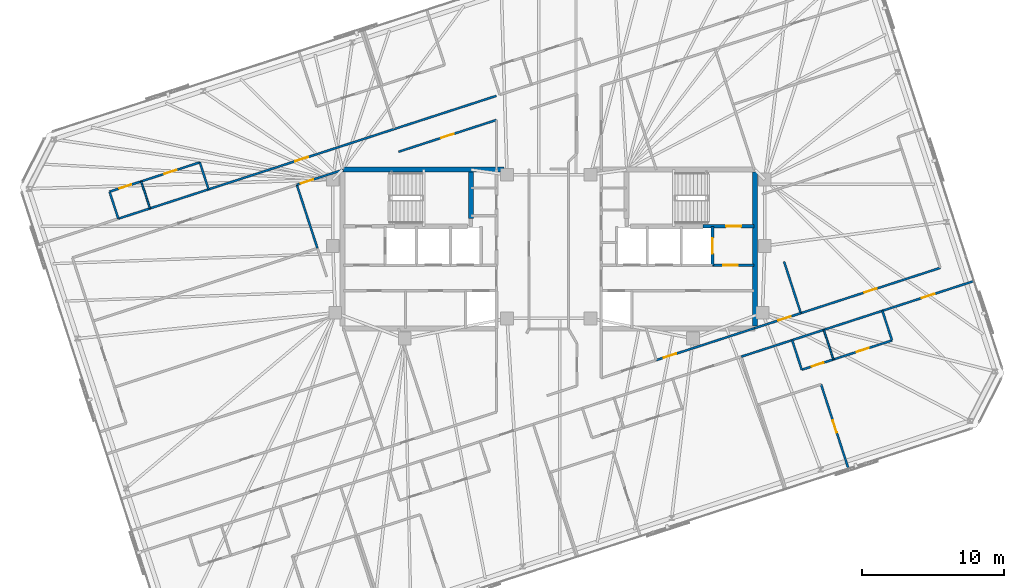
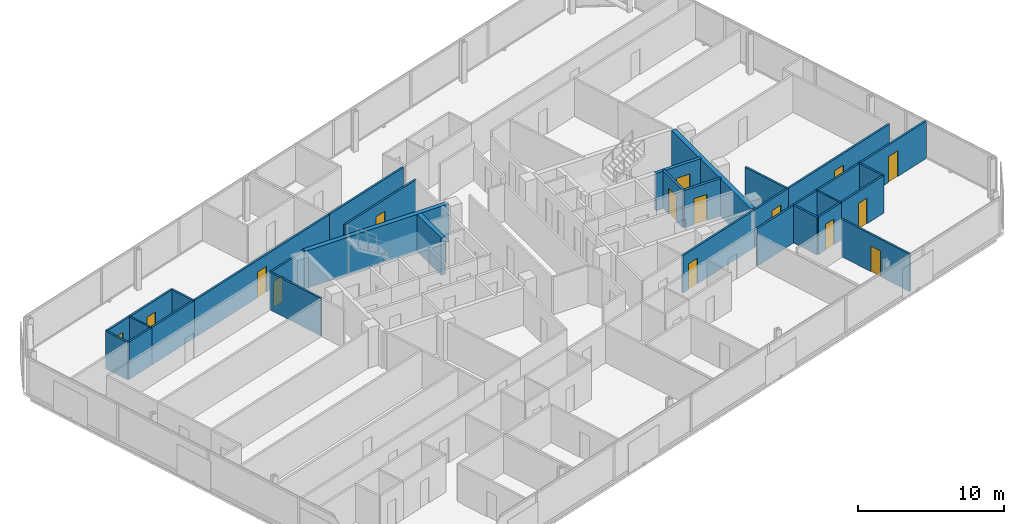
# One storey, part 16 of 19: 32 walls, 15 doors, 15 openings.
"""IFC4 building model written with IfcOpenShell, lengths in metres."""

from ifc_helpers import new_model, si_unit, direction, frame, frame_2d, origin, place, context, subcontext, project, spatial, rectangle, extrude, material, layer, layer_set, type_object, element, fill, save


model = new_model("IFC4")

# Units and contexts
model_context = context("Model", 3, precision=1e-05, world=origin(), true_north=direction((0.0, 1.0)))
body_context = subcontext(model_context, "Body", "Model", "MODEL_VIEW")
ifc_project = project(units=[si_unit("LENGTHUNIT", "METRE"), si_unit("AREAUNIT", "SQUARE_METRE"), si_unit("VOLUMEUNIT", "CUBIC_METRE"), si_unit("PLANEANGLEUNIT", "RADIAN"), si_unit("MASSUNIT", "GRAM", prefix="KILO")], contexts=[model_context])

# Site, building, storey
site_placement = place(None, origin())
site = spatial("IfcSite", under=ifc_project, at=site_placement, CompositionType="ELEMENT")
building_placement = place(site_placement, origin())
building = spatial("IfcBuilding", under=site, at=building_placement, Name="Menara Jurai Vektor", CompositionType="ELEMENT")
storey_placement = place(building_placement, frame((0.0, 0.0, 220.949951171875)))
storey = spatial("IfcBuildingStorey", under=building, at=storey_placement, Name="L58", CompositionType="ELEMENT", Elevation=220.949951171875)

# Wall, opening, door
ifc_material_1 = material(Name="Concrete C40/50", Category="concrete")
ifc_layer_1 = layer(ifc_material_1, 0.25)
ifc_layer_set_1 = layer_set([ifc_layer_1], Name="Concrete C40/50")
wall_type_1 = type_object("IfcWallType", Name="INT-WALL-CORE-250", PredefinedType="STANDARD", material=ifc_layer_set_1)
wall_1_placement = place(storey_placement, frame((10.89990234375, 1.60009765625, 0.0), z_axis=(0.0, 0.0, 1.0), x_axis=(1.0, 0.0, 0.0)))
wall_1 = element("IfcWall", 1, at=wall_1_placement, inside=storey, type_object=wall_type_1, Name="Interior Wall IW-250 L58", PredefinedType="STANDARD", context=body_context, shape_type="SweptSolid", body=[
    extrude(rectangle(XDim=3.60009765625, YDim=0.25, at=frame_2d((1.800048828125, 0.0))), origin(), (0.0, 0.0, 1.0), 3.125),
])
opening_1_placement = place(wall_1_placement, frame((1.6201171875, 0.0, 0.0)))
opening_1 = element("IfcOpeningElement", 2, at=opening_1_placement, cuts=wall_1, Name="Opening D-L58-ST2", PredefinedType="OPENING", context=body_context, shape_type="SweptSolid", body=[
    extrude(rectangle(XDim=1.050048828125, YDim=2.14990234375, at=frame_2d((0.52490234375, 1.074951171875))), frame((0.0, 0.135009765625, 0.0), z_axis=(0.0, -1.0, 0.0), x_axis=(1.0, 0.0, 0.0)), (0.0, 0.0, 1.0), 0.27001953125),
])
ifc_material_2 = material(Name="Fire-Rated Steel Door", Category="steel")
door_type_1 = type_object("IfcDoorType", Name="DR-STAIR-1050", OperationType="NOTDEFINED", PredefinedType="DOOR", material=ifc_material_2)
door_1_placement = place(opening_1_placement, origin())
door_1 = element("IfcDoor", 3, at=door_1_placement, inside=storey, type_object=door_type_1, Name="Exit Stair ST2 Door L58", OperationType="SINGLE_SWING_LEFT", OverallHeight=2.14990234375, OverallWidth=1.050048828125, PredefinedType="DOOR", context=body_context, shape_type="SweptSolid", body=[
    extrude(rectangle(XDim=1.050048828125, YDim=2.14990234375, at=frame_2d((0.52490234375, 1.074951171875))), frame((0.0, 0.02490234375, 0.0), z_axis=(0.0, -1.0, 0.0), x_axis=(1.0, 0.0, 0.0)), (0.0, 0.0, 1.0), 0.050048828125),
])
fill(opening_1, door_1)

wall_2_placement = place(storey_placement, frame((11.550048828125, -1.14990234375, 0.0), z_axis=(0.0, 0.0, 1.0), x_axis=(0.0, 1.0, 0.0)))
wall_2 = element("IfcWall", 4, at=wall_2_placement, inside=storey, type_object=wall_type_1, Name="Interior Wall IW-250 L58", PredefinedType="STANDARD", context=body_context, shape_type="SweptSolid", body=[
    extrude(rectangle(XDim=2.75, YDim=0.199951171875, at=frame_2d((1.375, 0.0))), origin(), (0.0, 0.0, 1.0), 3.125),
])
opening_2_placement = place(wall_2_placement, frame((0.824951171875, 0.0, 0.0)))
opening_2 = element("IfcOpeningElement", 5, at=opening_2_placement, cuts=wall_2, Name="Opening LD-L58-FL2", PredefinedType="OPENING", context=body_context, shape_type="SweptSolid", body=[
    extrude(rectangle(XDim=1.10009765625, YDim=2.14990234375, at=frame_2d((0.550048828125, 1.074951171875))), frame((0.0, 0.10986328125, 0.0), z_axis=(0.0, -1.0, 0.0), x_axis=(1.0, 0.0, 0.0)), (0.0, 0.0, 1.0), 0.219970703125),
])
ifc_material_3 = material(Name="Stainless Steel Sliding Lift Landing Door", Category="steel")
door_type_2 = type_object("IfcDoorType", Name="DR-LIFT-FIRE-1100", OperationType="NOTDEFINED", PredefinedType="DOOR", material=ifc_material_3)
door_2_placement = place(opening_2_placement, origin())
door_2 = element("IfcDoor", 6, at=door_2_placement, inside=storey, type_object=door_type_2, Name="Lift Landing Door FL2 L58", OperationType="SLIDING_TO_RIGHT", OverallHeight=2.14990234375, OverallWidth=1.10009765625, PredefinedType="DOOR", context=body_context, shape_type="SweptSolid", body=[
    extrude(rectangle(XDim=1.10009765625, YDim=2.14990234375, at=frame_2d((0.550048828125, 1.074951171875))), frame((0.0, 0.02490234375, 0.0), z_axis=(0.0, -1.0, 0.0), x_axis=(1.0, 0.0, 0.0)), (0.0, 0.0, 1.0), 0.050048828125),
])
fill(opening_2, door_2)

wall_3_placement = place(storey_placement, frame((11.550048828125, -1.14990234375, 0.0), z_axis=(0.0, 0.0, 1.0), x_axis=(1.0, 0.0, 0.0)))
wall_3 = element("IfcWall", 7, at=wall_3_placement, inside=storey, type_object=wall_type_1, Name="Interior Wall IW-250 L58", PredefinedType="STANDARD", context=body_context, shape_type="SweptSolid", body=[
    extrude(rectangle(XDim=2.949951171875, YDim=0.199951171875, at=frame_2d((1.47509765625, 0.0))), origin(), (0.0, 0.0, 1.0), 3.125),
])
opening_3_placement = place(wall_3_placement, frame((0.75, 0.0, 0.0)))
opening_3 = element("IfcOpeningElement", 8, at=opening_3_placement, cuts=wall_3, Name="Opening D-L58-FFE", PredefinedType="OPENING", context=body_context, shape_type="SweptSolid", body=[
    extrude(rectangle(XDim=1.050048828125, YDim=2.179931640625, at=frame_2d((0.52490234375, 1.08984375))), frame((0.0, 0.10986328125, 0.0), z_axis=(0.0, -1.0, 0.0), x_axis=(1.0, 0.0, 0.0)), (0.0, 0.0, 1.0), 0.219970703125),
])
ifc_material_4 = material(Name="Fire-Rated Timber Door", Category="wood")
door_type_3 = type_object("IfcDoorType", Name="DR-LOBBY-1050", OperationType="NOTDEFINED", PredefinedType="DOOR", material=ifc_material_4)
door_3_placement = place(opening_3_placement, origin())
door_3 = element("IfcDoor", 9, at=door_3_placement, inside=storey, type_object=door_type_3, Name="Fire Lift Lobby Door E L58", OperationType="SINGLE_SWING_LEFT", OverallHeight=2.179931640625, OverallWidth=1.050048828125, PredefinedType="DOOR", context=body_context, shape_type="SweptSolid", body=[
    extrude(rectangle(XDim=1.050048828125, YDim=2.179931640625, at=frame_2d((0.52490234375, 1.08984375))), frame((0.0, 0.02490234375, 0.0), z_axis=(0.0, -1.0, 0.0), x_axis=(1.0, 0.0, 0.0)), (0.0, 0.0, 1.0), 0.050048828125),
])
fill(opening_3, door_3)

ifc_material_5 = material(Name="Gypsum Fireboard Partition", Category="gypsum")
ifc_layer_2 = layer(ifc_material_5, 0.14990234375)
ifc_layer_set_2 = layer_set([ifc_layer_2], Name="Gypsum Fireboard Partition")
wall_type_2 = type_object("IfcWallType", Name="INT-WALL-CORR-150", PredefinedType="PARTITIONING", material=ifc_layer_set_2)
wall_4_placement = place(storey_placement, frame((-24.022216796875, 4.2099609375, 0.0), z_axis=(0.0, 0.0, 1.0), x_axis=(0.951058997127, 0.309009359055, 0.0)))
wall_4 = element("IfcWall", 10, at=wall_4_placement, inside=storey, type_object=wall_type_2, Name="Interior Wall IW-150 L58", PredefinedType="PARTITIONING", context=body_context, shape_type="SweptSolid", body=[
    extrude(rectangle(XDim=13.81689453125, YDim=0.14990234375, at=frame_2d((6.908447265625, 0.0))), origin(), (0.0, 0.0, 1.0), 3.125),
])
opening_4_placement = place(wall_4_placement, frame((6.43359375, 0.0, 0.0)))
opening_4 = element("IfcOpeningElement", 11, at=opening_4_placement, cuts=wall_4, Name="Opening D58-10", PredefinedType="OPENING", context=body_context, shape_type="SweptSolid", body=[
    extrude(rectangle(XDim=0.949951171875, YDim=2.14990234375, at=frame_2d((0.47509765625, 1.074951171875))), frame((0.0, 0.0849609375, 0.0), z_axis=(0.0, -1.0, 0.0), x_axis=(1.0, 0.0, 0.0)), (0.0, 0.0, 1.0), 0.169921875),
])
ifc_material_6 = material(Name="Solid Core Timber Fire Door", Category="wood")
door_type_4 = type_object("IfcDoorType", Name="DR-ENTRY-950", OperationType="NOTDEFINED", PredefinedType="DOOR", material=ifc_material_6)
door_4_placement = place(opening_4_placement, origin())
door_4 = element("IfcDoor", 12, at=door_4_placement, inside=storey, type_object=door_type_4, Name="Interior Door D58-10", OperationType="SINGLE_SWING_RIGHT", OverallHeight=2.14990234375, OverallWidth=0.949951171875, PredefinedType="DOOR", context=body_context, shape_type="SweptSolid", body=[
    extrude(rectangle(XDim=0.949951171875, YDim=2.14990234375, at=frame_2d((0.47509765625, 1.074951171875))), frame((0.0, 0.02490234375, 0.0), z_axis=(0.0, -1.0, 0.0), x_axis=(1.0, 0.0, 0.0)), (0.0, 0.0, 1.0), 0.050048828125),
])
fill(opening_4, door_4)

# Walls
wall_5_placement = place(storey_placement, frame((-30.394287109375, 2.139404296875, 0.0), z_axis=(0.0, 0.0, 1.0), x_axis=(0.951045519245, 0.309050837767, 0.0)))
element("IfcWall", 13, at=wall_5_placement, inside=storey, type_object=wall_type_2, Name="Interior Wall IW-150 L58", PredefinedType="PARTITIONING", context=body_context, shape_type="SweptSolid", body=[
    extrude(rectangle(XDim=2.35009765625, YDim=0.14990234375, at=frame_2d((1.175048828125, 0.0))), origin(), (0.0, 0.0, 1.0), 3.125),
])
wall_6_placement = place(storey_placement, frame((-28.1591796875, 2.86572265625, 0.0), z_axis=(0.0, 0.0, 1.0), x_axis=(0.951052627573, 0.309028962374, 0.0)))
element("IfcWall", 14, at=wall_6_placement, inside=storey, type_object=wall_type_2, Name="Interior Wall IW-150 L58", PredefinedType="PARTITIONING", context=body_context, shape_type="SweptSolid", body=[
    extrude(rectangle(XDim=4.349853515625, YDim=0.14990234375, at=frame_2d((2.1748046875, 0.0))), origin(), (0.0, 0.0, 1.0), 3.125),
])
wall_7_placement = place(storey_placement, frame((-10.881591796875, 8.4794921875, 0.0), z_axis=(0.0, 0.0, 1.0), x_axis=(0.951051887333, 0.309031240494, 0.0)))
element("IfcWall", 15, at=wall_7_placement, inside=storey, type_object=wall_type_2, Name="Interior Wall IW-150 L58", PredefinedType="PARTITIONING", context=body_context, shape_type="SweptSolid", body=[
    extrude(rectangle(XDim=7.551025390625, YDim=0.14990234375, at=frame_2d((3.775390625, 0.0))), origin(), (0.0, 0.0, 1.0), 3.125),
])
wall_8_placement = place(storey_placement, frame((13.5888671875, -7.599609375, 0.0), z_axis=(0.0, 0.0, 1.0), x_axis=(0.95105023481, 0.30903632613, 0.0)))
element("IfcWall", 16, at=wall_8_placement, inside=storey, type_object=wall_type_2, Name="Interior Wall IW-150 L58", PredefinedType="PARTITIONING", context=body_context, shape_type="SweptSolid", body=[
    extrude(rectangle(XDim=3.77294921875, YDim=0.14990234375, at=frame_2d((1.886474609375, 0.0))), origin(), (0.0, 0.0, 1.0), 3.125),
])

# Wall, opening, door
wall_9_placement = place(storey_placement, frame((23.54931640625, -4.36328125, 0.0), z_axis=(0.0, 0.0, 1.0), x_axis=(0.951054649174, 0.309022740723, 0.0)))
wall_9 = element("IfcWall", 17, at=wall_9_placement, inside=storey, type_object=wall_type_2, Name="Interior Wall IW-150 L58", PredefinedType="PARTITIONING", context=body_context, shape_type="SweptSolid", body=[
    extrude(rectangle(XDim=6.799072265625, YDim=0.14990234375, at=frame_2d((3.3994140625, 0.0))), origin(), (0.0, 0.0, 1.0), 3.125),
])
opening_5_placement = place(wall_9_placement, frame((2.924560546875, 0.0, 0.0)))
opening_5 = element("IfcOpeningElement", 18, at=opening_5_placement, cuts=wall_9, Name="Opening D58-30", PredefinedType="OPENING", context=body_context, shape_type="SweptSolid", body=[
    extrude(rectangle(XDim=0.949951171875, YDim=2.14990234375, at=frame_2d((0.47509765625, 1.074951171875))), frame((0.0, 0.0849609375, 0.0), z_axis=(0.0, -1.0, 0.0), x_axis=(1.0, 0.0, 0.0)), (0.0, 0.0, 1.0), 0.169921875),
])
door_5_placement = place(opening_5_placement, origin())
door_5 = element("IfcDoor", 19, at=door_5_placement, inside=storey, type_object=door_type_4, Name="Interior Door D58-30", OperationType="SINGLE_SWING_RIGHT", OverallHeight=2.14990234375, OverallWidth=0.949951171875, PredefinedType="DOOR", context=body_context, shape_type="SweptSolid", body=[
    extrude(rectangle(XDim=0.949951171875, YDim=2.14990234375, at=frame_2d((0.47509765625, 1.074951171875))), frame((0.0, 0.02490234375, 0.0), z_axis=(0.0, -1.0, 0.0), x_axis=(1.0, 0.0, 0.0)), (0.0, 0.0, 1.0), 0.050048828125),
])
fill(opening_5, door_5)

# Walls
wall_10_placement = place(storey_placement, frame((17.17724609375, -6.43359375, 0.0), z_axis=(0.0, 0.0, 1.0), x_axis=(0.951066131077, 0.308987401554, 0.0)))
element("IfcWall", 20, at=wall_10_placement, inside=storey, type_object=wall_type_2, Name="Interior Wall IW-150 L58", PredefinedType="PARTITIONING", context=body_context, shape_type="SweptSolid", body=[
    extrude(rectangle(XDim=2.349853515625, YDim=0.14990234375, at=frame_2d((1.1748046875, 0.0))), origin(), (0.0, 0.0, 1.0), 3.125),
])
wall_11_placement = place(storey_placement, frame((19.412109375, -5.70751953125, 0.0), z_axis=(0.0, 0.0, 1.0), x_axis=(0.951057987102, 0.309012467661, 0.0)))
element("IfcWall", 21, at=wall_11_placement, inside=storey, type_object=wall_type_2, Name="Interior Wall IW-150 L58", PredefinedType="PARTITIONING", context=body_context, shape_type="SweptSolid", body=[
    extrude(rectangle(XDim=4.35009765625, YDim=0.14990234375, at=frame_2d((2.175048828125, 0.0))), origin(), (0.0, 0.0, 1.0), 3.125),
])

# Wall, opening, door
wall_12_placement = place(storey_placement, frame((7.58837890625, -7.845947265625, 0.0), z_axis=(0.0, 0.0, 1.0), x_axis=(0.951058013903, 0.309012385174, 0.0)))
wall_12 = element("IfcWall", 22, at=wall_12_placement, inside=storey, type_object=wall_type_2, Name="Interior Wall IW-150 L58", PredefinedType="PARTITIONING", context=body_context, shape_type="SweptSolid", body=[
    extrude(rectangle(XDim=7.26708984375, YDim=0.14990234375, at=frame_2d((3.633544921875, 0.0))), origin(), (0.0, 0.0, 1.0), 3.125),
])
opening_6_placement = place(wall_12_placement, frame((0.557373046875, 0.0, 0.0)))
opening_6 = element("IfcOpeningElement", 23, at=opening_6_placement, cuts=wall_12, Name="Opening D58-40", PredefinedType="OPENING", context=body_context, shape_type="SweptSolid", body=[
    extrude(rectangle(XDim=0.919921875, YDim=2.14990234375, at=frame_2d((0.4599609375, 1.074951171875))), frame((0.0, 0.0849609375, 0.0), z_axis=(0.0, -1.0, 0.0), x_axis=(1.0, 0.0, 0.0)), (0.0, 0.0, 1.0), 0.169921875),
])
door_6_placement = place(opening_6_placement, origin())
door_6 = element("IfcDoor", 24, at=door_6_placement, inside=storey, type_object=door_type_4, Name="Interior Door D58-40", OperationType="SINGLE_SWING_RIGHT", OverallHeight=2.14990234375, OverallWidth=0.919921875, PredefinedType="DOOR", context=body_context, shape_type="SweptSolid", body=[
    extrude(rectangle(XDim=0.919921875, YDim=2.14990234375, at=frame_2d((0.4599609375, 1.074951171875))), frame((0.0, 0.02490234375, 0.0), z_axis=(0.0, -1.0, 0.0), x_axis=(1.0, 0.0, 0.0)), (0.0, 0.0, 1.0), 0.050048828125),
])
fill(opening_6, door_6)

wall_13_placement = place(storey_placement, frame((14.499755859375, -5.600341796875, 0.0), z_axis=(0.0, 0.0, 1.0), x_axis=(0.951047546178, 0.309044600193, 0.0)))
wall_13 = element("IfcWall", 25, at=wall_13_placement, inside=storey, type_object=wall_type_2, Name="Interior Wall IW-150 L58", PredefinedType="PARTITIONING", context=body_context, shape_type="SweptSolid", body=[
    extrude(rectangle(XDim=3.4609375, YDim=0.14990234375, at=frame_2d((1.73046875, 0.0))), origin(), (0.0, 0.0, 1.0), 3.125),
])
opening_7_placement = place(wall_13_placement, frame((1.78955078125, 0.0, 0.0)))
opening_7 = element("IfcOpeningElement", 26, at=opening_7_placement, cuts=wall_13, Name="Opening D58-42", PredefinedType="OPENING", context=body_context, shape_type="SweptSolid", body=[
    extrude(rectangle(XDim=0.919921875, YDim=2.14990234375, at=frame_2d((0.4599609375, 1.074951171875))), frame((0.0, 0.0849609375, 0.0), z_axis=(0.0, -1.0, 0.0), x_axis=(1.0, 0.0, 0.0)), (0.0, 0.0, 1.0), 0.169921875),
])
door_7_placement = place(opening_7_placement, origin())
door_7 = element("IfcDoor", 27, at=door_7_placement, inside=storey, type_object=door_type_4, Name="Interior Door D58-42", OperationType="SINGLE_SWING_RIGHT", OverallHeight=2.14990234375, OverallWidth=0.919921875, PredefinedType="DOOR", context=body_context, shape_type="SweptSolid", body=[
    extrude(rectangle(XDim=0.919921875, YDim=2.14990234375, at=frame_2d((0.4599609375, 1.074951171875))), frame((0.0, 0.02490234375, 0.0), z_axis=(0.0, -1.0, 0.0), x_axis=(1.0, 0.0, 0.0)), (0.0, 0.0, 1.0), 0.050048828125),
])
fill(opening_7, door_7)

wall_14_placement = place(storey_placement, frame((-17.79150390625, 4.531005859375, 0.0), z_axis=(0.0, 0.0, 1.0), x_axis=(0.951047546178, 0.309044600193, 0.0)))
wall_14 = element("IfcWall", 28, at=wall_14_placement, inside=storey, type_object=wall_type_2, Name="Interior Wall IW-150 L58", PredefinedType="PARTITIONING", context=body_context, shape_type="SweptSolid", body=[
    extrude(rectangle(XDim=3.4609375, YDim=0.14990234375, at=frame_2d((1.73046875, 0.0))), origin(), (0.0, 0.0, 1.0), 3.125),
])
opening_8_placement = place(wall_14_placement, frame((0.301513671875, 0.0, 0.0)))
opening_8 = element("IfcOpeningElement", 29, at=opening_8_placement, cuts=wall_14, Name="Opening D58-47", PredefinedType="OPENING", context=body_context, shape_type="SweptSolid", body=[
    extrude(rectangle(XDim=0.919921875, YDim=2.14990234375, at=frame_2d((0.4599609375, 1.074951171875))), frame((0.0, 0.0849609375, 0.0), z_axis=(0.0, -1.0, 0.0), x_axis=(1.0, 0.0, 0.0)), (0.0, 0.0, 1.0), 0.169921875),
])
door_8_placement = place(opening_8_placement, origin())
door_8 = element("IfcDoor", 30, at=door_8_placement, inside=storey, type_object=door_type_4, Name="Interior Door D58-47", OperationType="SINGLE_SWING_LEFT", OverallHeight=2.14990234375, OverallWidth=0.919921875, PredefinedType="DOOR", context=body_context, shape_type="SweptSolid", body=[
    extrude(rectangle(XDim=0.919921875, YDim=2.14990234375, at=frame_2d((0.4599609375, 1.074951171875))), frame((0.0, 0.02490234375, 0.0), z_axis=(0.0, -1.0, 0.0), x_axis=(1.0, 0.0, 0.0)), (0.0, 0.0, 1.0), 0.050048828125),
])
fill(opening_8, door_8)

wall_15_placement = place(storey_placement, frame((-10.612060546875, 6.86376953125, 0.0), z_axis=(0.0, 0.0, 1.0), x_axis=(0.951060972078, 0.309003280548, 0.0)))
wall_15 = element("IfcWall", 31, at=wall_15_placement, inside=storey, type_object=wall_type_2, Name="Interior Wall IW-150 L58", PredefinedType="PARTITIONING", context=body_context, shape_type="SweptSolid", body=[
    extrude(rectangle(XDim=7.26806640625, YDim=0.14990234375, at=frame_2d((3.634033203125, 0.0))), origin(), (0.0, 0.0, 1.0), 3.125),
])
opening_9_placement = place(wall_15_placement, frame((3.174072265625, 0.0, 0.0)))
opening_9 = element("IfcOpeningElement", 32, at=opening_9_placement, cuts=wall_15, Name="Opening D58-49", PredefinedType="OPENING", context=body_context, shape_type="SweptSolid", body=[
    extrude(rectangle(XDim=0.919921875, YDim=2.14990234375, at=frame_2d((0.4599609375, 1.074951171875))), frame((0.0, 0.0849609375, 0.0), z_axis=(0.0, -1.0, 0.0), x_axis=(1.0, 0.0, 0.0)), (0.0, 0.0, 1.0), 0.169921875),
])
door_9_placement = place(opening_9_placement, origin())
door_9 = element("IfcDoor", 33, at=door_9_placement, inside=storey, type_object=door_type_4, Name="Interior Door D58-49", OperationType="SINGLE_SWING_LEFT", OverallHeight=2.14990234375, OverallWidth=0.919921875, PredefinedType="DOOR", context=body_context, shape_type="SweptSolid", body=[
    extrude(rectangle(XDim=0.919921875, YDim=2.14990234375, at=frame_2d((0.4599609375, 1.074951171875))), frame((0.0, 0.02490234375, 0.0), z_axis=(0.0, -1.0, 0.0), x_axis=(1.0, 0.0, 0.0)), (0.0, 0.0, 1.0), 0.050048828125),
])
fill(opening_9, door_9)

wall_16_placement = place(storey_placement, frame((17.791259765625, -4.53076171875, 0.0), z_axis=(0.0, 0.0, 1.0), x_axis=(0.951056769902, 0.309016213852, 0.0)))
wall_16 = element("IfcWall", 34, at=wall_16_placement, inside=storey, type_object=wall_type_2, Name="Interior Wall IW-150 L58", PredefinedType="PARTITIONING", context=body_context, shape_type="SweptSolid", body=[
    extrude(rectangle(XDim=10.35205078125, YDim=0.14990234375, at=frame_2d((5.176025390625, 0.0))), origin(), (0.0, 0.0, 1.0), 3.125),
])
opening_10_placement = place(wall_16_placement, frame((4.716064453125, 0.0, 0.0)))
opening_10 = element("IfcOpeningElement", 35, at=opening_10_placement, cuts=wall_16, Name="Opening D58-50", PredefinedType="OPENING", context=body_context, shape_type="SweptSolid", body=[
    extrude(rectangle(XDim=0.919921875, YDim=2.14990234375, at=frame_2d((0.4599609375, 1.074951171875))), frame((0.0, 0.0849609375, 0.0), z_axis=(0.0, -1.0, 0.0), x_axis=(1.0, 0.0, 0.0)), (0.0, 0.0, 1.0), 0.169921875),
])
door_10_placement = place(opening_10_placement, origin())
door_10 = element("IfcDoor", 36, at=door_10_placement, inside=storey, type_object=door_type_4, Name="Interior Door D58-50", OperationType="SINGLE_SWING_RIGHT", OverallHeight=2.14990234375, OverallWidth=0.919921875, PredefinedType="DOOR", context=body_context, shape_type="SweptSolid", body=[
    extrude(rectangle(XDim=0.919921875, YDim=2.14990234375, at=frame_2d((0.4599609375, 1.074951171875))), frame((0.0, 0.02490234375, 0.0), z_axis=(0.0, -1.0, 0.0), x_axis=(1.0, 0.0, 0.0)), (0.0, 0.0, 1.0), 0.050048828125),
])
fill(opening_10, door_10)

# Wall
wall_17_placement = place(storey_placement, frame((-30.394287109375, 2.139404296875, 0.0), z_axis=(0.0, 0.0, 1.0), x_axis=(-0.309022749039, 0.951054646472, 0.0)))
element("IfcWall", 37, at=wall_17_placement, inside=storey, type_object=wall_type_2, Name="Interior Wall IW-150 L58", PredefinedType="PARTITIONING", context=body_context, shape_type="SweptSolid", body=[
    extrude(rectangle(XDim=2.005126953125, YDim=0.14990234375, at=frame_2d((1.00244140625, 0.0))), origin(), (0.0, 0.0, 1.0), 3.125),
])

# Wall, opening, door
wall_18_placement = place(storey_placement, frame((-31.013916015625, 4.04638671875, 0.0), z_axis=(0.0, 0.0, 1.0), x_axis=(0.951076048914, 0.308956872689, 0.0)))
wall_18 = element("IfcWall", 38, at=wall_18_placement, inside=storey, type_object=wall_type_2, Name="Interior Wall IW-150 L58", PredefinedType="PARTITIONING", context=body_context, shape_type="SweptSolid", body=[
    extrude(rectangle(XDim=2.35009765625, YDim=0.14990234375, at=frame_2d((1.175048828125, 0.0))), origin(), (0.0, 0.0, 1.0), 3.125),
])
opening_11_placement = place(wall_18_placement, frame((0.735107421875, 0.0, 0.0)))
opening_11 = element("IfcOpeningElement", 39, at=opening_11_placement, cuts=wall_18, Name="Opening D58-11", PredefinedType="OPENING", context=body_context, shape_type="SweptSolid", body=[
    extrude(rectangle(XDim=0.8798828125, YDim=2.14990234375, at=frame_2d((0.43994140625, 1.074951171875))), frame((0.0, 0.0849609375, 0.0), z_axis=(0.0, -1.0, 0.0), x_axis=(1.0, 0.0, 0.0)), (0.0, 0.0, 1.0), 0.169921875),
])
ifc_material_7 = material(Name="Moisture-Resistant Timber Door", Category="wood")
door_type_5 = type_object("IfcDoorType", Name="DR-BATH-880", OperationType="NOTDEFINED", PredefinedType="DOOR", material=ifc_material_7)
door_11_placement = place(opening_11_placement, origin())
door_11 = element("IfcDoor", 40, at=door_11_placement, inside=storey, type_object=door_type_5, Name="Interior Door D58-11", OperationType="SINGLE_SWING_LEFT", OverallHeight=2.14990234375, OverallWidth=0.8798828125, PredefinedType="DOOR", context=body_context, shape_type="SweptSolid", body=[
    extrude(rectangle(XDim=0.8798828125, YDim=2.14990234375, at=frame_2d((0.43994140625, 1.074951171875))), frame((0.0, 0.02490234375, 0.0), z_axis=(0.0, -1.0, 0.0), x_axis=(1.0, 0.0, 0.0)), (0.0, 0.0, 1.0), 0.050048828125),
])
fill(opening_11, door_11)

wall_19_placement = place(storey_placement, frame((-28.77880859375, 4.7724609375, 0.0), z_axis=(0.0, 0.0, 1.0), x_axis=(0.951052627573, 0.309028962374, 0.0)))
wall_19 = element("IfcWall", 41, at=wall_19_placement, inside=storey, type_object=wall_type_2, Name="Interior Wall IW-150 L58", PredefinedType="PARTITIONING", context=body_context, shape_type="SweptSolid", body=[
    extrude(rectangle(XDim=4.349853515625, YDim=0.14990234375, at=frame_2d((2.1748046875, 0.0))), origin(), (0.0, 0.0, 1.0), 3.125),
])
opening_12_placement = place(wall_19_placement, frame((1.72509765625, 0.0, 0.0)))
opening_12 = element("IfcOpeningElement", 42, at=opening_12_placement, cuts=wall_19, Name="Opening D58-12", PredefinedType="OPENING", context=body_context, shape_type="SweptSolid", body=[
    extrude(rectangle(XDim=0.89990234375, YDim=2.14990234375, at=frame_2d((0.449951171875, 1.074951171875))), frame((0.0, 0.0849609375, 0.0), z_axis=(0.0, -1.0, 0.0), x_axis=(1.0, 0.0, 0.0)), (0.0, 0.0, 1.0), 0.169921875),
])
ifc_material_8 = material(Name="Acoustic Timber Interior Door", Category="wood")
door_type_6 = type_object("IfcDoorType", Name="DR-ROOM-900", OperationType="NOTDEFINED", PredefinedType="DOOR", material=ifc_material_8)
door_12_placement = place(opening_12_placement, origin())
door_12 = element("IfcDoor", 43, at=door_12_placement, inside=storey, type_object=door_type_6, Name="Interior Door D58-12", OperationType="SINGLE_SWING_RIGHT", OverallHeight=2.14990234375, OverallWidth=0.89990234375, PredefinedType="DOOR", context=body_context, shape_type="SweptSolid", body=[
    extrude(rectangle(XDim=0.89990234375, YDim=2.14990234375, at=frame_2d((0.449951171875, 1.074951171875))), frame((0.0, 0.02490234375, 0.0), z_axis=(0.0, -1.0, 0.0), x_axis=(1.0, 0.0, 0.0)), (0.0, 0.0, 1.0), 0.050048828125),
])
fill(opening_12, door_12)

# Walls
wall_20_placement = place(storey_placement, frame((-24.022216796875, 4.2099609375, 0.0), z_axis=(0.0, 0.0, 1.0), x_axis=(-0.309058537449, 0.951043017129, 0.0)))
element("IfcWall", 44, at=wall_20_placement, inside=storey, type_object=wall_type_2, Name="Interior Wall IW-150 L58", PredefinedType="PARTITIONING", context=body_context, shape_type="SweptSolid", body=[
    extrude(rectangle(XDim=2.0048828125, YDim=0.14990234375, at=frame_2d((1.00244140625, 0.0))), origin(), (0.0, 0.0, 1.0), 3.125),
])
wall_21_placement = place(storey_placement, frame((17.857177734375, -8.52587890625, 0.0), z_axis=(0.0, 0.0, 1.0), x_axis=(-0.309060979314, 0.951042223598, 0.0)))
element("IfcWall", 45, at=wall_21_placement, inside=storey, type_object=wall_type_2, Name="Interior Wall IW-150 L58", PredefinedType="PARTITIONING", context=body_context, shape_type="SweptSolid", body=[
    extrude(rectangle(XDim=2.199951171875, YDim=0.14990234375, at=frame_2d((1.10009765625, 0.0))), origin(), (0.0, 0.0, 1.0), 3.125),
])

# Wall, opening, door
wall_22_placement = place(storey_placement, frame((17.857177734375, -8.52587890625, 0.0), z_axis=(0.0, 0.0, 1.0), x_axis=(0.951066131077, 0.308987401554, 0.0)))
wall_22 = element("IfcWall", 46, at=wall_22_placement, inside=storey, type_object=wall_type_2, Name="Interior Wall IW-150 L58", PredefinedType="PARTITIONING", context=body_context, shape_type="SweptSolid", body=[
    extrude(rectangle(XDim=2.349853515625, YDim=0.14990234375, at=frame_2d((1.1748046875, 0.0))), origin(), (0.0, 0.0, 1.0), 3.125),
])
opening_13_placement = place(wall_22_placement, frame((0.735107421875, 0.0, 0.0)))
opening_13 = element("IfcOpeningElement", 47, at=opening_13_placement, cuts=wall_22, Name="Opening D58-31", PredefinedType="OPENING", context=body_context, shape_type="SweptSolid", body=[
    extrude(rectangle(XDim=0.8798828125, YDim=2.14990234375, at=frame_2d((0.43994140625, 1.074951171875))), frame((0.0, 0.0849609375, 0.0), z_axis=(0.0, -1.0, 0.0), x_axis=(1.0, 0.0, 0.0)), (0.0, 0.0, 1.0), 0.169921875),
])
door_13_placement = place(opening_13_placement, origin())
door_13 = element("IfcDoor", 48, at=door_13_placement, inside=storey, type_object=door_type_5, Name="Interior Door D58-31", OperationType="SINGLE_SWING_LEFT", OverallHeight=2.14990234375, OverallWidth=0.8798828125, PredefinedType="DOOR", context=body_context, shape_type="SweptSolid", body=[
    extrude(rectangle(XDim=0.8798828125, YDim=2.14990234375, at=frame_2d((0.43994140625, 1.074951171875))), frame((0.0, 0.02490234375, 0.0), z_axis=(0.0, -1.0, 0.0), x_axis=(1.0, 0.0, 0.0)), (0.0, 0.0, 1.0), 0.050048828125),
])
fill(opening_13, door_13)

wall_23_placement = place(storey_placement, frame((20.092041015625, -7.7998046875, 0.0), z_axis=(0.0, 0.0, 1.0), x_axis=(0.951057987102, 0.309012467661, 0.0)))
wall_23 = element("IfcWall", 49, at=wall_23_placement, inside=storey, type_object=wall_type_2, Name="Interior Wall IW-150 L58", PredefinedType="PARTITIONING", context=body_context, shape_type="SweptSolid", body=[
    extrude(rectangle(XDim=4.35009765625, YDim=0.14990234375, at=frame_2d((2.175048828125, 0.0))), origin(), (0.0, 0.0, 1.0), 3.125),
])
opening_14_placement = place(wall_23_placement, frame((1.72509765625, 0.0, 0.0)))
opening_14 = element("IfcOpeningElement", 50, at=opening_14_placement, cuts=wall_23, Name="Opening D58-32", PredefinedType="OPENING", context=body_context, shape_type="SweptSolid", body=[
    extrude(rectangle(XDim=0.89990234375, YDim=2.14990234375, at=frame_2d((0.449951171875, 1.074951171875))), frame((0.0, 0.0849609375, 0.0), z_axis=(0.0, -1.0, 0.0), x_axis=(1.0, 0.0, 0.0)), (0.0, 0.0, 1.0), 0.169921875),
])
door_14_placement = place(opening_14_placement, origin())
door_14 = element("IfcDoor", 51, at=door_14_placement, inside=storey, type_object=door_type_6, Name="Interior Door D58-32", OperationType="SINGLE_SWING_RIGHT", OverallHeight=2.14990234375, OverallWidth=0.89990234375, PredefinedType="DOOR", context=body_context, shape_type="SweptSolid", body=[
    extrude(rectangle(XDim=0.89990234375, YDim=2.14990234375, at=frame_2d((0.449951171875, 1.074951171875))), frame((0.0, 0.02490234375, 0.0), z_axis=(0.0, -1.0, 0.0), x_axis=(1.0, 0.0, 0.0)), (0.0, 0.0, 1.0), 0.050048828125),
])
fill(opening_14, door_14)

# Wall
wall_24_placement = place(storey_placement, frame((24.229248046875, -6.45556640625, 0.0), z_axis=(0.0, 0.0, 1.0), x_axis=(-0.309060979314, 0.951042223598, 0.0)))
element("IfcWall", 52, at=wall_24_placement, inside=storey, type_object=wall_type_2, Name="Interior Wall IW-150 L58", PredefinedType="PARTITIONING", context=body_context, shape_type="SweptSolid", body=[
    extrude(rectangle(XDim=2.199951171875, YDim=0.14990234375, at=frame_2d((1.10009765625, 0.0))), origin(), (0.0, 0.0, 1.0), 3.125),
])

# Wall, opening, door
wall_25_placement = place(storey_placement, frame((21.154052734375, -15.510986328125, 0.0), z_axis=(0.0, 0.0, 1.0), x_axis=(-0.30902524124, 0.951053836687, 0.0)))
wall_25 = element("IfcWall", 53, at=wall_25_placement, inside=storey, type_object=wall_type_2, Name="Interior Wall IW-150 L58", PredefinedType="PARTITIONING", context=body_context, shape_type="SweptSolid", body=[
    extrude(rectangle(XDim=6.26171875, YDim=0.14990234375, at=frame_2d((3.130859375, 0.0))), origin(), (0.0, 0.0, 1.0), 3.125),
])
opening_15_placement = place(wall_25_placement, frame((2.680908203125, 0.0, 0.0)))
opening_15 = element("IfcOpeningElement", 54, at=opening_15_placement, cuts=wall_25, Name="Opening D58-33", PredefinedType="OPENING", context=body_context, shape_type="SweptSolid", body=[
    extrude(rectangle(XDim=0.89990234375, YDim=2.14990234375, at=frame_2d((0.449951171875, 1.074951171875))), frame((0.0, 0.0849609375, 0.0), z_axis=(0.0, -1.0, 0.0), x_axis=(1.0, 0.0, 0.0)), (0.0, 0.0, 1.0), 0.169921875),
])
door_15_placement = place(opening_15_placement, origin())
door_15 = element("IfcDoor", 55, at=door_15_placement, inside=storey, type_object=door_type_6, Name="Interior Door D58-33", OperationType="SINGLE_SWING_LEFT", OverallHeight=2.14990234375, OverallWidth=0.89990234375, PredefinedType="DOOR", context=body_context, shape_type="SweptSolid", body=[
    extrude(rectangle(XDim=0.89990234375, YDim=2.14990234375, at=frame_2d((0.449951171875, 1.074951171875))), frame((0.0, 0.02490234375, 0.0), z_axis=(0.0, -1.0, 0.0), x_axis=(1.0, 0.0, 0.0)), (0.0, 0.0, 1.0), 0.050048828125),
])
fill(opening_15, door_15)

# Walls
wall_26_placement = place(storey_placement, frame((-16.3369140625, 0.054443359375, 0.0), z_axis=(0.0, 0.0, 1.0), x_axis=(-0.309029776355, 0.951052363083, 0.0)))
element("IfcWall", 56, at=wall_26_placement, inside=storey, type_object=wall_type_2, Name="Interior Wall IW-150 L58", PredefinedType="PARTITIONING", context=body_context, shape_type="SweptSolid", body=[
    extrude(rectangle(XDim=4.70703125, YDim=0.14990234375, at=frame_2d((2.353515625, 0.0))), origin(), (0.0, 0.0, 1.0), 3.125),
])
wall_27_placement = place(storey_placement, frame((17.791259765625, -4.53076171875, 0.0), z_axis=(0.0, 0.0, 1.0), x_axis=(-0.309018414265, 0.951056054944, 0.0)))
element("IfcWall", 57, at=wall_27_placement, inside=storey, type_object=wall_type_2, Name="Interior Wall IW-150 L58", PredefinedType="PARTITIONING", context=body_context, shape_type="SweptSolid", body=[
    extrude(rectangle(XDim=3.8349609375, YDim=0.14990234375, at=frame_2d((1.91748046875, 0.0))), origin(), (0.0, 0.0, 1.0), 3.125),
])
ifc_material_9 = material(Name="Gypsum Acoustic Stud Partition", Category="gypsum")
ifc_layer_3 = layer(ifc_material_9, 0.1201171875)
ifc_layer_set_3 = layer_set([ifc_layer_3], Name="Gypsum Acoustic Stud Partition")
wall_type_3 = type_object("IfcWallType", Name="INT-WALL-PART-120", PredefinedType="PARTITIONING", material=ifc_layer_set_3)
wall_28_placement = place(storey_placement, frame((-28.1591796875, 2.86572265625, 0.0), z_axis=(0.0, 0.0, 1.0), x_axis=(-0.309058537449, 0.951043017129, 0.0)))
element("IfcWall", 58, at=wall_28_placement, inside=storey, type_object=wall_type_3, Name="Interior Wall IW-120 L58", PredefinedType="PARTITIONING", context=body_context, shape_type="SweptSolid", body=[
    extrude(rectangle(XDim=2.0048828125, YDim=0.1201171875, at=frame_2d((1.00244140625, 0.0))), origin(), (0.0, 0.0, 1.0), 3.125),
])
wall_29_placement = place(storey_placement, frame((20.092041015625, -7.7998046875, 0.0), z_axis=(0.0, 0.0, 1.0), x_axis=(-0.309060979314, 0.951042223598, 0.0)))
element("IfcWall", 59, at=wall_29_placement, inside=storey, type_object=wall_type_3, Name="Interior Wall IW-120 L58", PredefinedType="PARTITIONING", context=body_context, shape_type="SweptSolid", body=[
    extrude(rectangle(XDim=2.199951171875, YDim=0.1201171875, at=frame_2d((1.10009765625, 0.0))), origin(), (0.0, 0.0, 1.0), 3.125),
])
ifc_material_10 = material(Name="Concrete C50/60", Category="concrete")
ifc_layer_4 = layer(ifc_material_10, 0.35009765625)
ifc_layer_set_4 = layer_set([ifc_layer_4], Name="Concrete C50/60")
wall_type_4 = type_object("IfcWallType", Name="STR-WALL-CORE350", PredefinedType="SHEAR", material=ifc_layer_set_4)
wall_30_placement = place(storey_placement, frame((-14.56005859375, 5.60009765625, 0.0), z_axis=(0.0, 0.0, 1.0), x_axis=(1.0, 0.0, 0.0)))
element("IfcWall", 60, at=wall_30_placement, inside=storey, type_object=wall_type_4, Name="Core Shear Wall CW-W-N L58", PredefinedType="SHEAR", context=body_context, shape_type="SweptSolid", body=[
    extrude(rectangle(XDim=11.41015625, YDim=0.35009765625, at=frame_2d((5.705078125, 0.0))), origin(), (0.0, 0.0, 1.0), 3.125),
])
wall_31_placement = place(storey_placement, frame((-5.5, 2.14990234375, 0.0), z_axis=(0.0, 0.0, 1.0), x_axis=(0.0, 1.0, 0.0)))
element("IfcWall", 61, at=wall_31_placement, inside=storey, type_object=wall_type_4, Name="Core Shear Wall CW-W-ST L58", PredefinedType="SHEAR", context=body_context, shape_type="SweptSolid", body=[
    extrude(rectangle(XDim=3.275146484375, YDim=0.35009765625, at=frame_2d((1.6376953125, 0.0))), origin(), (0.0, 0.0, 1.0), 3.125),
])
wall_32_placement = place(storey_placement, frame((14.56005859375, -5.425048828125, 0.0), z_axis=(0.0, 0.0, 1.0), x_axis=(0.0, 1.0, 0.0)))
element("IfcWall", 62, at=wall_32_placement, inside=storey, type_object=wall_type_4, Name="Core Shear Wall CW-E-E L58", PredefinedType="SHEAR", context=body_context, shape_type="SweptSolid", body=[
    extrude(rectangle(XDim=10.85009765625, YDim=0.35009765625, at=frame_2d((5.425048828125, 0.0))), origin(), (0.0, 0.0, 1.0), 3.125),
])

save(model, "model.ifc")
